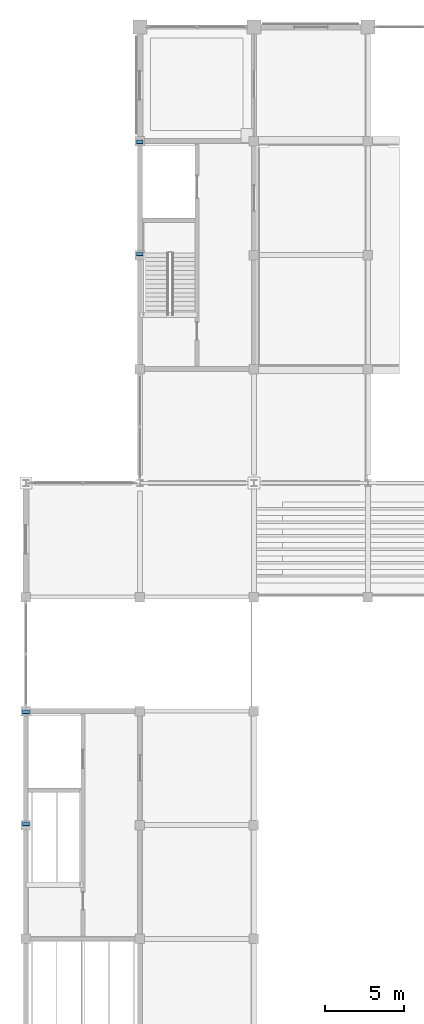
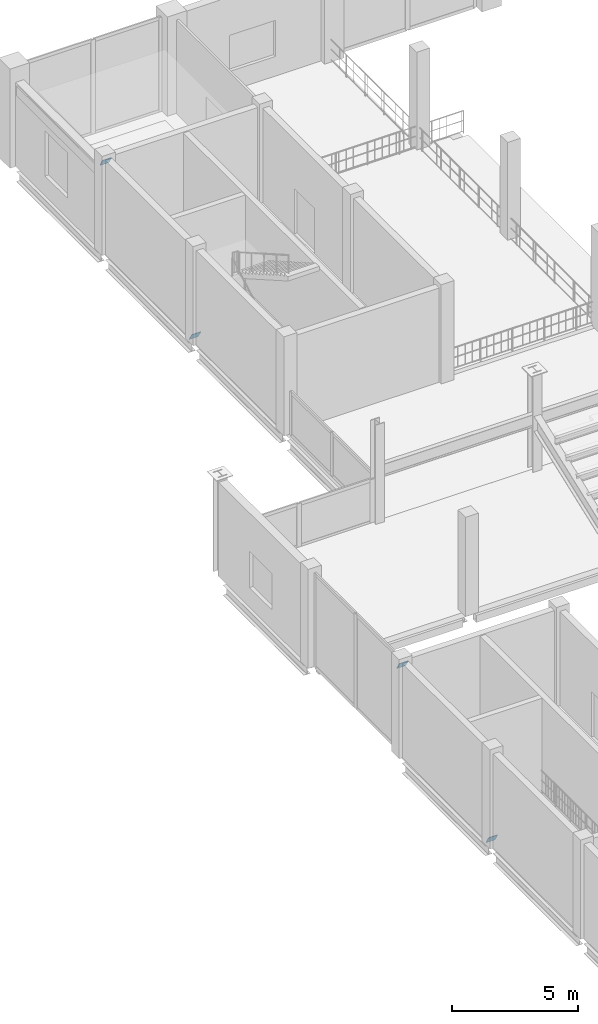
# One storey, part 88 of 120: 4 plates.
"""IFC4 building model written with IfcOpenShell, lengths in metres."""

from ifc_helpers import new_model, si_unit, direction, frame, origin, origin_2d, place, context, subcontext, project, spatial, rectangle, extrude, material, layer, layer_set, type_object, element, save


model = new_model("IFC4")

# Units and contexts
model_context = context("Model", 3, precision=1e-05, world=origin(), true_north=direction((0.0, 1.0)))
body_context = subcontext(model_context, "Body", "Model", "MODEL_VIEW")
ifc_project = project(units=[si_unit("LENGTHUNIT", "METRE"), si_unit("AREAUNIT", "SQUARE_METRE"), si_unit("VOLUMEUNIT", "CUBIC_METRE"), si_unit("PLANEANGLEUNIT", "RADIAN"), si_unit("MASSUNIT", "GRAM", prefix="KILO")], contexts=[model_context])

# Site, building, storey
site_placement = place(None, origin())
site = spatial("IfcSite", under=ifc_project, at=site_placement, CompositionType="ELEMENT")
building_placement = place(site_placement, origin())
building = spatial("IfcBuilding", under=site, at=building_placement, Name="Vesperath Aquatics Centre", CompositionType="ELEMENT")
storey_placement = place(building_placement, frame((0.0, 0.0, 10.199951171875)))
storey = spatial("IfcBuildingStorey", under=building, at=storey_placement, Name="L02", CompositionType="ELEMENT", Elevation=10.199951171875)

# Plates
ifc_material = material(Name="Steel Q355D", Category="steel")
ifc_layer = layer(ifc_material, 0.02392578125)
ifc_layer_set = layer_set([ifc_layer], Name="Steel Q355D")
plate_type = type_object("IfcPlateType", Name="PT-TN04", PredefinedType="SHEET", material=ifc_layer_set)
for number, where, z_axis, x_axis, name in (
    (1, (0.0, 64.848388671875, 0.17822265625), (0.0, 0.863778900717, 0.503871025835), (-1.0, 0.0, 0.0), "Truss Node Cap Plate TN04"),
    (2, (0.0, 71.930908203125, 4.3095703125), (0.0, 0.863778900717, 0.503871025835), (-1.0, 0.0, 0.0), "Truss Node Cap Plate TN04"),
    (3, (7.199951171875, 100.848388671875, 0.17822265625), (0.0, 0.863778900717, 0.503871025835), (-1.0, 0.0, 0.0), "Truss Node Cap Plate TN04"),
    (4, (7.199951171875, 107.930908203125, 4.3095703125), (0.0, 0.863778900717, 0.503871025835), (-1.0, 0.0, 0.0), "Truss Node Cap Plate TN04"),
):
    element("IfcPlate", number, at=place(storey_placement, frame(where, z_axis=z_axis, x_axis=x_axis)), inside=storey, type_object=plate_type, Name=name, PredefinedType="SHEET", context=body_context, shape_type="SweptSolid", body=[
        extrude(rectangle(XDim=0.419921875, YDim=0.419921875, at=origin_2d()), origin(), (0.0, 0.0, 1.0), 0.02392578125),
    ])

save(model, "model.ifc")
